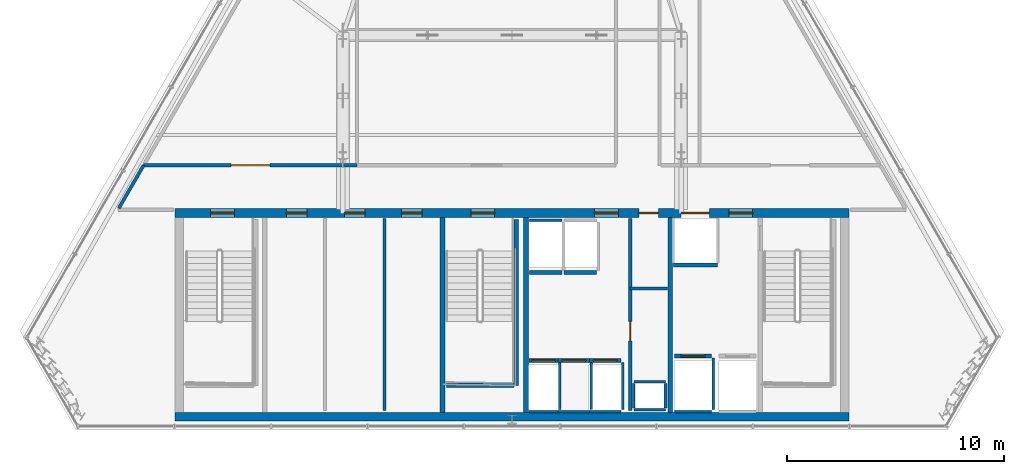
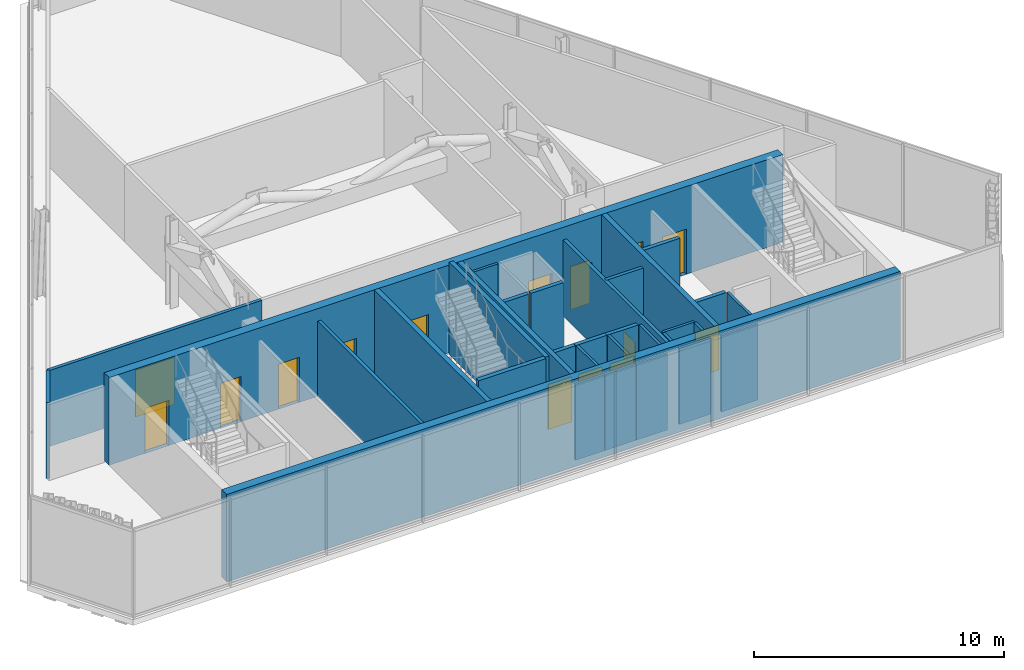
# One storey, part 28 of 32: 32 walls, 15 doors, 15 openings.
"""IFC4 building model written with IfcOpenShell, lengths in metres."""

from ifc_helpers import new_model, si_unit, direction, frame, frame_2d, origin, place, context, subcontext, project, spatial, rectangle, extrude, material, layer, layer_set, type_object, element, fill, save


model = new_model("IFC4")

# Units and contexts
model_context = context("Model", 3, precision=1e-05, world=origin(), true_north=direction((0.0, 1.0)))
body_context = subcontext(model_context, "Body", "Model", "MODEL_VIEW")
ifc_project = project(units=[si_unit("LENGTHUNIT", "METRE"), si_unit("AREAUNIT", "SQUARE_METRE"), si_unit("VOLUMEUNIT", "CUBIC_METRE"), si_unit("PLANEANGLEUNIT", "RADIAN"), si_unit("MASSUNIT", "GRAM", prefix="KILO")], contexts=[model_context])

# Site, building, storey
site_placement = place(None, origin())
site = spatial("IfcSite", under=ifc_project, at=site_placement, CompositionType="ELEMENT")
building_placement = place(site_placement, origin())
building = spatial("IfcBuilding", under=site, at=building_placement, Name="Ndaravel Arena Tower", CompositionType="ELEMENT")
storey_placement = place(building_placement, frame((0.0, 0.0, 278.800048828125)))
storey = spatial("IfcBuildingStorey", under=building, at=storey_placement, Name="L68", CompositionType="ELEMENT", Elevation=278.800048828125)

# Wall, opening, door
ifc_material_1 = material(Name="Gypsum", Category="gypsum")
ifc_layer_1 = layer(ifc_material_1, 0.14990234375)
ifc_layer_set_1 = layer_set([ifc_layer_1], Name="Gypsum")
wall_type_1 = type_object("IfcWallType", Name="WALL-COMP-150", PredefinedType="PARTITIONING", material=ifc_layer_set_1)
wall_1_placement = place(storey_placement, frame((47.449951171875, 5.89990234375, 0.0), z_axis=(0.0, 0.0, 1.0), x_axis=(0.0, 1.0, 0.0)))
wall_1 = element("IfcWall", 1, at=wall_1_placement, inside=storey, type_object=wall_type_1, Name="L68 Core Riser Bay Partition", PredefinedType="PARTITIONING", context=body_context, shape_type="SweptSolid", body=[
    extrude(rectangle(XDim=8.85009765625, YDim=0.14990234375, at=frame_2d((4.425048828125, 0.0))), origin(), (0.0, 0.0, 1.0), 3.71044921875),
])
opening_1_placement = place(wall_1_placement, frame((3.199951171875, 0.0, 0.0)))
opening_1 = element("IfcOpeningElement", 2, at=opening_1_placement, cuts=wall_1, Name="Opening RD-01", PredefinedType="OPENING", context=body_context, shape_type="SweptSolid", body=[
    extrude(rectangle(XDim=0.89990234375, YDim=2.10009765625, at=frame_2d((0.449951171875, 1.050048828125))), frame((0.0, 0.074951171875, 0.0), z_axis=(0.0, -1.0, 0.0), x_axis=(1.0, 0.0, 0.0)), (0.0, 0.0, 1.0), 0.14990234375),
])
ifc_material_2 = material(Name="Steel S355", Category="steel")
door_type_1 = type_object("IfcDoorType", Name="DT-08-RISER-900", OperationType="SINGLE_SWING_LEFT", PredefinedType="DOOR", material=ifc_material_2)
door_1_placement = place(opening_1_placement, origin())
door_1 = element("IfcDoor", 3, at=door_1_placement, inside=storey, type_object=door_type_1, Name="L68 Sub-Metering Closet Door", OperationType="SINGLE_SWING_LEFT", OverallHeight=2.10009765625, OverallWidth=0.89990234375, PredefinedType="DOOR", context=body_context, shape_type="SweptSolid", body=[
    extrude(rectangle(XDim=0.89990234375, YDim=2.10009765625, at=frame_2d((0.449951171875, 1.050048828125))), frame((0.0, 0.02490234375, 0.0), z_axis=(0.0, -1.0, 0.0), x_axis=(1.0, 0.0, 0.0)), (0.0, 0.0, 1.0), 0.050048828125),
])
fill(opening_1, door_1)

# Walls
wall_2_placement = place(storey_placement, frame((47.449951171875, 11.52001953125, 0.0), z_axis=(0.0, 0.0, 1.0), x_axis=(1.0, 0.0, 0.0)))
element("IfcWall", 4, at=wall_2_placement, inside=storey, type_object=wall_type_1, Name="L68 Core Riser Divider 1", PredefinedType="PARTITIONING", context=body_context, shape_type="SweptSolid", body=[
    extrude(rectangle(XDim=1.72998046875, YDim=0.14990234375, at=frame_2d((0.864990234375, 0.0))), origin(), (0.0, 0.0, 1.0), 3.71044921875),
])
wall_3_placement = place(storey_placement, frame((36.1201171875, 5.89990234375, 0.0), z_axis=(0.0, 0.0, 1.0), x_axis=(0.0, 1.0, 0.0)))
element("IfcWall", 5, at=wall_3_placement, inside=storey, type_object=wall_type_1, Name="L68 High-Zone Core Divider 2", PredefinedType="PARTITIONING", context=body_context, shape_type="SweptSolid", body=[
    extrude(rectangle(XDim=8.85009765625, YDim=0.14990234375, at=frame_2d((4.425048828125, 0.0))), origin(), (0.0, 0.0, 1.0), 3.71044921875),
])
wall_4_placement = place(storey_placement, frame((23.86572265625, 15.215087890625, 0.0), z_axis=(0.0, 0.0, 1.0), x_axis=(0.500091252813, 0.865972712538, 0.0)))
element("IfcWall", 6, at=wall_4_placement, inside=storey, type_object=wall_type_1, Name="L68 Interior Partition 003", PredefinedType="PARTITIONING", context=body_context, shape_type="SweptSolid", body=[
    extrude(rectangle(XDim=2.2919921875, YDim=0.14990234375, at=frame_2d((1.14599609375, 0.0))), origin(), (0.0, 0.0, 1.0), 3.71044921875),
])

# Wall, opening, door
wall_5_placement = place(storey_placement, frame((25.011962890625, 17.199951171875, 0.0), z_axis=(0.0, 0.0, 1.0), x_axis=(1.0, 0.0, 0.0)))
wall_5 = element("IfcWall", 7, at=wall_5_placement, inside=storey, type_object=wall_type_1, Name="L68 Interior Partition 004", PredefinedType="PARTITIONING", context=body_context, shape_type="SweptSolid", body=[
    extrude(rectangle(XDim=9.838134765625, YDim=0.14990234375, at=frame_2d((4.9189453125, 0.0))), origin(), (0.0, 0.0, 1.0), 3.71044921875),
])
opening_2_placement = place(wall_5_placement, frame((4.01904296875, 0.0, 0.0)))
opening_2 = element("IfcOpeningElement", 8, at=opening_2_placement, cuts=wall_5, Name="Opening PD-01", PredefinedType="OPENING", context=body_context, shape_type="SweptSolid", body=[
    extrude(rectangle(XDim=1.800048828125, YDim=2.300048828125, at=frame_2d((0.89990234375, 1.14990234375))), frame((0.0, 0.074951171875, 0.0), z_axis=(0.0, -1.0, 0.0), x_axis=(1.0, 0.0, 0.0)), (0.0, 0.0, 1.0), 0.14990234375),
])
ifc_material_3 = material(Name="Steel S355", Category="steel")
door_type_2 = type_object("IfcDoorType", Name="DT-09-PLANT-1800", OperationType="DOUBLE_DOOR_SINGLE_SWING", PredefinedType="DOOR", material=ifc_material_3)
door_2_placement = place(opening_2_placement, origin())
door_2 = element("IfcDoor", 9, at=door_2_placement, inside=storey, type_object=door_type_2, Name="L68 Crown Zone AHU Plant Room Door", OperationType="SINGLE_SWING_RIGHT", OverallHeight=2.300048828125, OverallWidth=1.800048828125, PredefinedType="DOOR", context=body_context, shape_type="SweptSolid", body=[
    extrude(rectangle(XDim=1.800048828125, YDim=2.300048828125, at=frame_2d((0.89990234375, 1.14990234375))), frame((0.0, 0.02490234375, 0.0), z_axis=(0.0, -1.0, 0.0), x_axis=(1.0, 0.0, 0.0)), (0.0, 0.0, 1.0), 0.050048828125),
])
fill(opening_2, door_2)

# Walls
ifc_material_4 = material(Name="Concrete C50/60", Category="concrete")
ifc_layer_2 = layer(ifc_material_4, 0.219970703125)
ifc_layer_set_2 = layer_set([ifc_layer_2], Name="Concrete C50/60")
wall_type_2 = type_object("IfcWallType", Name="WALL-CORE-220", PredefinedType="SOLIDWALL", material=ifc_layer_set_2)
for number, where, z_axis, x_axis, name in (
    (10, (38.800048828125, 5.800048828125, 0.0), (0.0, 0.0, 1.0), (0.0, 1.0, 0.0), "L68 Core Web Shear Wall 2"),
    (11, (42.64990234375, 5.800048828125, 0.0), (0.0, 0.0, 1.0), (0.0, 1.0, 0.0), "L68 Core Web Shear Wall 3"),
    (12, (49.300048828125, 5.800048828125, 0.0), (0.0, 0.0, 1.0), (0.0, 1.0, 0.0), "L68 Core Web Shear Wall 4"),
):
    element("IfcWall", number, at=place(storey_placement, frame(where, z_axis=z_axis, x_axis=x_axis)), inside=storey, type_object=wall_type_2, Name=name, PredefinedType="SOLIDWALL", context=body_context, shape_type="SweptSolid", body=[
        extrude(rectangle(XDim=9.0, YDim=0.219970703125, at=frame_2d((4.5, 0.0))), origin(), (0.0, 0.0, 1.0), 4.280029296875),
    ])

# Wall, openings, doors
ifc_material_5 = material(Name="Concrete C50/60", Category="concrete")
ifc_layer_3 = layer(ifc_material_5, 0.39990234375)
ifc_layer_set_3 = layer_set([ifc_layer_3], Name="Concrete C50/60")
wall_type_3 = type_object("IfcWallType", Name="WALL-CORE-400", PredefinedType="SOLIDWALL", material=ifc_layer_set_3)
wall_6_placement = place(storey_placement, frame((26.449951171875, 15.0, 0.0), z_axis=(0.0, 0.0, 1.0), x_axis=(1.0, 0.0, 0.0)))
wall_6 = element("IfcWall", 13, at=wall_6_placement, inside=storey, type_object=wall_type_3, Name="L68 Core North Shear Wall", PredefinedType="SOLIDWALL", context=body_context, shape_type="SweptSolid", body=[
    extrude(rectangle(XDim=31.10009765625, YDim=0.39990234375, at=frame_2d((15.550048828125, 0.0))), origin(), (0.0, 0.0, 1.0), 4.280029296875),
])
opening_3_placement = place(wall_6_placement, frame((1.64990234375, 0.0, 0.0)))
opening_3 = element("IfcOpeningElement", 14, at=opening_3_placement, cuts=wall_6, Name="Opening FD-01", PredefinedType="OPENING", context=body_context, shape_type="SweptSolid", body=[
    extrude(rectangle(XDim=1.10009765625, YDim=2.199951171875, at=frame_2d((0.550048828125, 1.10009765625))), frame((0.0, 0.199951171875, 0.0), z_axis=(0.0, -1.0, 0.0), x_axis=(1.0, 0.0, 0.0)), (0.0, 0.0, 1.0), 0.39990234375),
])
opening_4_placement = place(wall_6_placement, frame((13.64990234375, 0.0, 0.0)))
opening_4 = element("IfcOpeningElement", 15, at=opening_4_placement, cuts=wall_6, Name="Opening FD-01", PredefinedType="OPENING", context=body_context, shape_type="SweptSolid", body=[
    extrude(rectangle(XDim=1.10009765625, YDim=2.199951171875, at=frame_2d((0.550048828125, 1.10009765625))), frame((0.0, 0.199951171875, 0.0), z_axis=(0.0, -1.0, 0.0), x_axis=(1.0, 0.0, 0.0)), (0.0, 0.0, 1.0), 0.39990234375),
])
opening_5_placement = place(wall_6_placement, frame((25.550048828125, 0.0, 0.0)))
opening_5 = element("IfcOpeningElement", 16, at=opening_5_placement, cuts=wall_6, Name="Opening FD-01", PredefinedType="OPENING", context=body_context, shape_type="SweptSolid", body=[
    extrude(rectangle(XDim=1.10009765625, YDim=2.199951171875, at=frame_2d((0.550048828125, 1.10009765625))), frame((0.0, 0.199951171875, 0.0), z_axis=(0.0, -1.0, 0.0), x_axis=(1.0, 0.0, 0.0)), (0.0, 0.0, 1.0), 0.39990234375),
])
opening_6_placement = place(wall_6_placement, frame((19.35009765625, 0.0, 0.0)))
opening_6 = element("IfcOpeningElement", 17, at=opening_6_placement, cuts=wall_6, Name="Opening FD-01", PredefinedType="OPENING", context=body_context, shape_type="SweptSolid", body=[
    extrude(rectangle(XDim=1.10009765625, YDim=2.199951171875, at=frame_2d((0.550048828125, 1.10009765625))), frame((0.0, 0.199951171875, 0.0), z_axis=(0.0, -1.0, 0.0), x_axis=(1.0, 0.0, 0.0)), (0.0, 0.0, 1.0), 0.39990234375),
])
opening_7_placement = place(wall_6_placement, frame((21.39990234375, 0.0, 0.0)))
opening_7 = element("IfcOpeningElement", 18, at=opening_7_placement, cuts=wall_6, Name="Opening RD-01", PredefinedType="OPENING", context=body_context, shape_type="SweptSolid", body=[
    extrude(rectangle(XDim=0.89990234375, YDim=2.10009765625, at=frame_2d((0.449951171875, 1.050048828125))), frame((0.0, 0.199951171875, 0.0), z_axis=(0.0, -1.0, 0.0), x_axis=(1.0, 0.0, 0.0)), (0.0, 0.0, 1.0), 0.39990234375),
])
opening_8_placement = place(wall_6_placement, frame((5.139892578125, 0.0, 0.0)))
opening_8 = element("IfcOpeningElement", 19, at=opening_8_placement, cuts=wall_6, Name="Opening FD-03", PredefinedType="OPENING", context=body_context, shape_type="SweptSolid", body=[
    extrude(rectangle(XDim=0.949951171875, YDim=2.199951171875, at=frame_2d((0.47509765625, 1.10009765625))), frame((0.0, 0.199951171875, 0.0), z_axis=(0.0, -1.0, 0.0), x_axis=(1.0, 0.0, 0.0)), (0.0, 0.0, 1.0), 0.39990234375),
])
opening_9_placement = place(wall_6_placement, frame((7.824951171875, 0.0, 0.0)))
opening_9 = element("IfcOpeningElement", 20, at=opening_9_placement, cuts=wall_6, Name="Opening FD-03", PredefinedType="OPENING", context=body_context, shape_type="SweptSolid", body=[
    extrude(rectangle(XDim=0.949951171875, YDim=2.199951171875, at=frame_2d((0.47509765625, 1.10009765625))), frame((0.0, 0.199951171875, 0.0), z_axis=(0.0, -1.0, 0.0), x_axis=(1.0, 0.0, 0.0)), (0.0, 0.0, 1.0), 0.39990234375),
])
opening_10_placement = place(wall_6_placement, frame((10.4599609375, 0.0, 0.0)))
opening_10 = element("IfcOpeningElement", 21, at=opening_10_placement, cuts=wall_6, Name="Opening FD-03", PredefinedType="OPENING", context=body_context, shape_type="SweptSolid", body=[
    extrude(rectangle(XDim=0.949951171875, YDim=2.199951171875, at=frame_2d((0.47509765625, 1.10009765625))), frame((0.0, 0.199951171875, 0.0), z_axis=(0.0, -1.0, 0.0), x_axis=(1.0, 0.0, 0.0)), (0.0, 0.0, 1.0), 0.39990234375),
])
opening_11_placement = place(wall_6_placement, frame((23.35009765625, 0.0, 0.0)))
opening_11 = element("IfcOpeningElement", 22, at=opening_11_placement, cuts=wall_6, Name="Opening LD-02", PredefinedType="OPENING", context=body_context, shape_type="SweptSolid", body=[
    extrude(rectangle(XDim=1.300048828125, YDim=2.300048828125, at=frame_2d((0.64990234375, 1.14990234375))), frame((0.0, 0.199951171875, 0.0), z_axis=(0.0, -1.0, 0.0), x_axis=(1.0, 0.0, 0.0)), (0.0, 0.0, 1.0), 0.39990234375),
])
ifc_material_6 = material(Name="Steel S355", Category="steel")
door_type_3 = type_object("IfcDoorType", Name="DT-01-STAIR-1100", OperationType="SINGLE_SWING_LEFT", PredefinedType="DOOR", material=ifc_material_6)
door_3_placement = place(opening_3_placement, origin())
door_3 = element("IfcDoor", 23, at=door_3_placement, inside=storey, type_object=door_type_3, Name="L68 Exit Stair ST-1 Door", OperationType="SINGLE_SWING_LEFT", OverallHeight=2.199951171875, OverallWidth=1.10009765625, PredefinedType="DOOR", context=body_context, shape_type="SweptSolid", body=[
    extrude(rectangle(XDim=1.10009765625, YDim=2.199951171875, at=frame_2d((0.550048828125, 1.10009765625))), frame((0.0, 0.02490234375, 0.0), z_axis=(0.0, -1.0, 0.0), x_axis=(1.0, 0.0, 0.0)), (0.0, 0.0, 1.0), 0.050048828125),
])
fill(opening_3, door_3)
door_4_placement = place(opening_4_placement, origin())
door_4 = element("IfcDoor", 24, at=door_4_placement, inside=storey, type_object=door_type_3, Name="L68 Exit Stair ST-2 Door", OperationType="SINGLE_SWING_RIGHT", OverallHeight=2.199951171875, OverallWidth=1.10009765625, PredefinedType="DOOR", context=body_context, shape_type="SweptSolid", body=[
    extrude(rectangle(XDim=1.10009765625, YDim=2.199951171875, at=frame_2d((0.550048828125, 1.10009765625))), frame((0.0, 0.02490234375, 0.0), z_axis=(0.0, -1.0, 0.0), x_axis=(1.0, 0.0, 0.0)), (0.0, 0.0, 1.0), 0.050048828125),
])
fill(opening_4, door_4)
door_5_placement = place(opening_5_placement, origin())
door_5 = element("IfcDoor", 25, at=door_5_placement, inside=storey, type_object=door_type_3, Name="L68 Firefighting Lift Lobby Door", OperationType="SINGLE_SWING_RIGHT", OverallHeight=2.199951171875, OverallWidth=1.10009765625, PredefinedType="DOOR", context=body_context, shape_type="SweptSolid", body=[
    extrude(rectangle(XDim=1.10009765625, YDim=2.199951171875, at=frame_2d((0.550048828125, 1.10009765625))), frame((0.0, 0.02490234375, 0.0), z_axis=(0.0, -1.0, 0.0), x_axis=(1.0, 0.0, 0.0)), (0.0, 0.0, 1.0), 0.050048828125),
])
fill(opening_5, door_5)
door_6_placement = place(opening_6_placement, origin())
door_6 = element("IfcDoor", 26, at=door_6_placement, inside=storey, type_object=door_type_3, Name="L68 Express Lift Lobby Entry Door", OperationType="SINGLE_SWING_LEFT", OverallHeight=2.199951171875, OverallWidth=1.10009765625, PredefinedType="DOOR", context=body_context, shape_type="SweptSolid", body=[
    extrude(rectangle(XDim=1.10009765625, YDim=2.199951171875, at=frame_2d((0.550048828125, 1.10009765625))), frame((0.0, 0.02490234375, 0.0), z_axis=(0.0, -1.0, 0.0), x_axis=(1.0, 0.0, 0.0)), (0.0, 0.0, 1.0), 0.050048828125),
])
fill(opening_6, door_6)
ifc_material_7 = material(Name="Steel S355", Category="steel")
door_type_4 = type_object("IfcDoorType", Name="DT-07-SVLIFT-1300", OperationType="DOUBLE_DOOR_SLIDING", PredefinedType="DOOR", material=ifc_material_7)
door_7_placement = place(opening_11_placement, origin())
door_7 = element("IfcDoor", 27, at=door_7_placement, inside=storey, type_object=door_type_4, Name="L68 Lift SVL-1 Sliding Landing Door", OperationType="DOUBLE_DOOR_SLIDING", OverallHeight=2.300048828125, OverallWidth=1.300048828125, PredefinedType="DOOR", context=body_context, shape_type="SweptSolid", body=[
    extrude(rectangle(XDim=1.300048828125, YDim=2.300048828125, at=frame_2d((0.64990234375, 1.14990234375))), frame((0.0, 0.02490234375, 0.0), z_axis=(0.0, -1.0, 0.0), x_axis=(1.0, 0.0, 0.0)), (0.0, 0.0, 1.0), 0.050048828125),
])
fill(opening_11, door_7)
door_8_placement = place(opening_7_placement, origin())
door_8 = element("IfcDoor", 28, at=door_8_placement, inside=storey, type_object=door_type_1, Name="L68 Core Service Riser North Door", OperationType="SINGLE_SWING_LEFT", OverallHeight=2.10009765625, OverallWidth=0.89990234375, PredefinedType="DOOR", context=body_context, shape_type="SweptSolid", body=[
    extrude(rectangle(XDim=0.89990234375, YDim=2.10009765625, at=frame_2d((0.449951171875, 1.050048828125))), frame((0.0, 0.02490234375, 0.0), z_axis=(0.0, -1.0, 0.0), x_axis=(1.0, 0.0, 0.0)), (0.0, 0.0, 1.0), 0.050048828125),
])
fill(opening_7, door_8)
ifc_material_8 = material(Name="Steel S355", Category="steel")
door_type_5 = type_object("IfcDoorType", Name="DT-11-CORE-950", OperationType="SINGLE_SWING_LEFT", PredefinedType="DOOR", material=ifc_material_8)
door_9_placement = place(opening_8_placement, origin())
door_9 = element("IfcDoor", 29, at=door_9_placement, inside=storey, type_object=door_type_5, Name="L68 High-Zone Reclaimed Core Room 1 Door", OperationType="SINGLE_SWING_LEFT", OverallHeight=2.199951171875, OverallWidth=0.949951171875, PredefinedType="DOOR", context=body_context, shape_type="SweptSolid", body=[
    extrude(rectangle(XDim=0.949951171875, YDim=2.199951171875, at=frame_2d((0.47509765625, 1.10009765625))), frame((0.0, 0.02490234375, 0.0), z_axis=(0.0, -1.0, 0.0), x_axis=(1.0, 0.0, 0.0)), (0.0, 0.0, 1.0), 0.050048828125),
])
fill(opening_8, door_9)
door_10_placement = place(opening_9_placement, origin())
door_10 = element("IfcDoor", 30, at=door_10_placement, inside=storey, type_object=door_type_5, Name="L68 High-Zone Reclaimed Core Room 2 Door", OperationType="SINGLE_SWING_RIGHT", OverallHeight=2.199951171875, OverallWidth=0.949951171875, PredefinedType="DOOR", context=body_context, shape_type="SweptSolid", body=[
    extrude(rectangle(XDim=0.949951171875, YDim=2.199951171875, at=frame_2d((0.47509765625, 1.10009765625))), frame((0.0, 0.02490234375, 0.0), z_axis=(0.0, -1.0, 0.0), x_axis=(1.0, 0.0, 0.0)), (0.0, 0.0, 1.0), 0.050048828125),
])
fill(opening_9, door_10)
door_11_placement = place(opening_10_placement, origin())
door_11 = element("IfcDoor", 31, at=door_11_placement, inside=storey, type_object=door_type_5, Name="L68 High-Zone Reclaimed Core Room 3 Door", OperationType="SINGLE_SWING_LEFT", OverallHeight=2.199951171875, OverallWidth=0.949951171875, PredefinedType="DOOR", context=body_context, shape_type="SweptSolid", body=[
    extrude(rectangle(XDim=0.949951171875, YDim=2.199951171875, at=frame_2d((0.47509765625, 1.10009765625))), frame((0.0, 0.02490234375, 0.0), z_axis=(0.0, -1.0, 0.0), x_axis=(1.0, 0.0, 0.0)), (0.0, 0.0, 1.0), 0.050048828125),
])
fill(opening_10, door_11)

# Walls
wall_7_placement = place(storey_placement, frame((26.449951171875, 5.60009765625, 0.0), z_axis=(0.0, 0.0, 1.0), x_axis=(1.0, 0.0, 0.0)))
element("IfcWall", 32, at=wall_7_placement, inside=storey, type_object=wall_type_3, Name="L68 Core South Shear Wall", PredefinedType="SOLIDWALL", context=body_context, shape_type="SweptSolid", body=[
    extrude(rectangle(XDim=31.10009765625, YDim=0.39990234375, at=frame_2d((15.550048828125, 0.0))), origin(), (0.0, 0.0, 1.0), 4.280029296875),
])
ifc_material_9 = material(Name="Concrete C40/50", Category="concrete")
ifc_layer_4 = layer(ifc_material_9, 0.1201171875)
ifc_layer_set_4 = layer_set([ifc_layer_4], Name="Concrete C40/50")
wall_type_4 = type_object("IfcWallType", Name="WALL-SHAFT-120", PredefinedType="SOLIDWALL", material=ifc_layer_set_4)
for number, where, z_axis, x_axis, name in (
    (33, (47.6201171875, 5.919921875, 0.0), (0.0, 0.0, 1.0), (1.0, 0.0, 0.0), "L68 MEP Riser Shaft S Wall"),
    (34, (47.6201171875, 7.219970703125, 0.0), (0.0, 0.0, 1.0), (1.0, 0.0, 0.0), "L68 MEP Riser Shaft N Wall"),
):
    element("IfcWall", number, at=place(storey_placement, frame(where, z_axis=z_axis, x_axis=x_axis)), inside=storey, type_object=wall_type_4, Name=name, PredefinedType="SOLIDWALL", context=body_context, shape_type="SweptSolid", body=[
        extrude(rectangle(XDim=1.4599609375, YDim=0.1201171875, at=frame_2d((0.72998046875, 0.0))), origin(), (0.0, 0.0, 1.0), 3.71044921875),
    ])
for number, where, z_axis, x_axis, name in (
    (35, (47.6201171875, 6.0, 0.0), (0.0, 0.0, 1.0), (0.0, 1.0, 0.0), "L68 MEP Riser Shaft W Wall"),
    (36, (49.080078125, 6.0, 0.0), (0.0, 0.0, 1.0), (0.0, 1.0, 0.0), "L68 MEP Riser Shaft E Wall"),
):
    element("IfcWall", number, at=place(storey_placement, frame(where, z_axis=z_axis, x_axis=x_axis)), inside=storey, type_object=wall_type_4, Name=name, PredefinedType="SOLIDWALL", context=body_context, shape_type="SweptSolid", body=[
        extrude(rectangle(XDim=1.139892578125, YDim=0.1201171875, at=frame_2d((0.56982421875, 0.0))), origin(), (0.0, 0.0, 1.0), 3.71044921875),
    ])
wall_8_placement = place(storey_placement, frame((42.780029296875, 5.840087890625, 0.0), z_axis=(0.0, 0.0, 1.0), x_axis=(1.0, 0.0, 0.0)))
element("IfcWall", 37, at=wall_8_placement, inside=storey, type_object=wall_type_4, Name="L68 PL-H1 Shaft Rear Wall", PredefinedType="SOLIDWALL", context=body_context, shape_type="SweptSolid", body=[
    extrude(rectangle(XDim=1.340087890625, YDim=0.1201171875, at=frame_2d((0.669921875, 0.0))), origin(), (0.0, 0.0, 1.0), 3.71044921875),
])
wall_9_placement = place(storey_placement, frame((44.199951171875, 5.929931640625, 0.0), z_axis=(0.0, 0.0, 1.0), x_axis=(0.0, 1.0, 0.0)))
element("IfcWall", 38, at=wall_9_placement, inside=storey, type_object=wall_type_4, Name="L68 PL-H1 Shaft Side R Wall", PredefinedType="SOLIDWALL", context=body_context, shape_type="SweptSolid", body=[
    extrude(rectangle(XDim=2.18017578125, YDim=0.1201171875, at=frame_2d((1.090087890625, 0.0))), origin(), (0.0, 0.0, 1.0), 3.71044921875),
])
wall_10_placement = place(storey_placement, frame((44.1298828125, 5.840087890625, 0.0), z_axis=(0.0, 0.0, 1.0), x_axis=(1.0, 0.0, 0.0)))
element("IfcWall", 39, at=wall_10_placement, inside=storey, type_object=wall_type_4, Name="L68 PL-H2 Shaft Rear Wall", PredefinedType="SOLIDWALL", context=body_context, shape_type="SweptSolid", body=[
    extrude(rectangle(XDim=1.440185546875, YDim=0.1201171875, at=frame_2d((0.72021484375, 0.0))), origin(), (0.0, 0.0, 1.0), 3.71044921875),
])
wall_11_placement = place(storey_placement, frame((45.64990234375, 5.929931640625, 0.0), z_axis=(0.0, 0.0, 1.0), x_axis=(0.0, 1.0, 0.0)))
element("IfcWall", 40, at=wall_11_placement, inside=storey, type_object=wall_type_4, Name="L68 PL-H2 Shaft Side R Wall", PredefinedType="SOLIDWALL", context=body_context, shape_type="SweptSolid", body=[
    extrude(rectangle(XDim=2.18017578125, YDim=0.1201171875, at=frame_2d((1.090087890625, 0.0))), origin(), (0.0, 0.0, 1.0), 3.71044921875),
])
wall_12_placement = place(storey_placement, frame((45.580078125, 5.840087890625, 0.0), z_axis=(0.0, 0.0, 1.0), x_axis=(1.0, 0.0, 0.0)))
element("IfcWall", 41, at=wall_12_placement, inside=storey, type_object=wall_type_4, Name="L68 PL-H3 Shaft Rear Wall", PredefinedType="SOLIDWALL", context=body_context, shape_type="SweptSolid", body=[
    extrude(rectangle(XDim=1.43994140625, YDim=0.1201171875, at=frame_2d((0.719970703125, 0.0))), origin(), (0.0, 0.0, 1.0), 3.71044921875),
])
wall_13_placement = place(storey_placement, frame((47.10009765625, 5.929931640625, 0.0), z_axis=(0.0, 0.0, 1.0), x_axis=(0.0, 1.0, 0.0)))
element("IfcWall", 42, at=wall_13_placement, inside=storey, type_object=wall_type_4, Name="L68 PL-H3 Shaft Side R Wall", PredefinedType="SOLIDWALL", context=body_context, shape_type="SweptSolid", body=[
    extrude(rectangle(XDim=2.18017578125, YDim=0.1201171875, at=frame_2d((1.090087890625, 0.0))), origin(), (0.0, 0.0, 1.0), 3.71044921875),
])
wall_14_placement = place(storey_placement, frame((42.804931640625, 14.659912109375, 0.0), z_axis=(0.0, 0.0, 1.0), x_axis=(1.0, 0.0, 0.0)))
element("IfcWall", 43, at=wall_14_placement, inside=storey, type_object=wall_type_4, Name="L68 PL-OBS1 Shaft Rear Wall", PredefinedType="SOLIDWALL", context=body_context, shape_type="SweptSolid", body=[
    extrude(rectangle(XDim=1.489990234375, YDim=0.1201171875, at=frame_2d((0.7451171875, 0.0))), origin(), (0.0, 0.0, 1.0), 3.71044921875),
])
wall_15_placement = place(storey_placement, frame((49.5048828125, 5.840087890625, 0.0), z_axis=(0.0, 0.0, 1.0), x_axis=(1.0, 0.0, 0.0)))
element("IfcWall", 44, at=wall_15_placement, inside=storey, type_object=wall_type_4, Name="L68 FFL-1 Shaft Rear Wall", PredefinedType="SOLIDWALL", context=body_context, shape_type="SweptSolid", body=[
    extrude(rectangle(XDim=1.690185546875, YDim=0.1201171875, at=frame_2d((0.84521484375, 0.0))), origin(), (0.0, 0.0, 1.0), 3.71044921875),
])
wall_16_placement = place(storey_placement, frame((51.27490234375, 5.929931640625, 0.0), z_axis=(0.0, 0.0, 1.0), x_axis=(0.0, 1.0, 0.0)))
element("IfcWall", 45, at=wall_16_placement, inside=storey, type_object=wall_type_4, Name="L68 FFL-1 Shaft Side R Wall", PredefinedType="SOLIDWALL", context=body_context, shape_type="SweptSolid", body=[
    extrude(rectangle(XDim=2.380126953125, YDim=0.1201171875, at=frame_2d((1.18994140625, 0.0))), origin(), (0.0, 0.0, 1.0), 3.71044921875),
])
ifc_material_10 = material(Name="Concrete C40/50", Category="concrete")
ifc_layer_5 = layer(ifc_material_10, 0.199951171875)
ifc_layer_set_5 = layer_set([ifc_layer_5], Name="Concrete C40/50")
wall_type_5 = type_object("IfcWallType", Name="WALL-SHAFT-200", PredefinedType="SOLIDWALL", material=ifc_layer_set_5)
wall_17_placement = place(storey_placement, frame((42.18994140625, 14.699951171875, 0.0), z_axis=(0.0, 0.0, 1.0), x_axis=(0.0, -1.0, 0.0)))
element("IfcWall", 46, at=wall_17_placement, inside=storey, type_object=wall_type_5, Name="L68 ST-2 Structural Shaft Wall Right", PredefinedType="SOLIDWALL", context=body_context, shape_type="SweptSolid", body=[
    extrude(rectangle(XDim=7.64990234375, YDim=0.199951171875, at=frame_2d((3.824951171875, 0.0))), origin(), (0.0, 0.0, 1.0), 4.5),
])
wall_18_placement = place(storey_placement, frame((38.969970703125, 7.050048828125, 0.0), z_axis=(0.0, 0.0, 1.0), x_axis=(1.0, 0.0, 0.0)))
element("IfcWall", 47, at=wall_18_placement, inside=storey, type_object=wall_type_5, Name="L68 ST-2 Structural Shaft Wall Far", PredefinedType="SOLIDWALL", context=body_context, shape_type="SweptSolid", body=[
    extrude(rectangle(XDim=3.114990234375, YDim=0.199951171875, at=frame_2d((1.5576171875, 0.0))), origin(), (0.0, 0.0, 1.0), 4.5),
])

# Wall, opening, door
wall_19_placement = place(storey_placement, frame((42.780029296875, 8.199951171875, 0.0), z_axis=(0.0, 0.0, 1.0), x_axis=(1.0, 0.0, 0.0)))
wall_19 = element("IfcWall", 48, at=wall_19_placement, inside=storey, type_object=wall_type_5, Name="L68 PL-H1 Shaft Landing Wall", PredefinedType="SOLIDWALL", context=body_context, shape_type="SweptSolid", body=[
    extrude(rectangle(XDim=1.340087890625, YDim=0.179931640625, at=frame_2d((0.669921875, 0.0))), origin(), (0.0, 0.0, 1.0), 3.71044921875),
])
opening_12_placement = place(wall_19_placement, frame((0.1201171875, 0.0, 0.0)))
opening_12 = element("IfcOpeningElement", 49, at=opening_12_placement, cuts=wall_19, Name="Opening LD-01", PredefinedType="OPENING", context=body_context, shape_type="SweptSolid", body=[
    extrude(rectangle(XDim=1.10009765625, YDim=2.199951171875, at=frame_2d((0.550048828125, 1.10009765625))), frame((0.0, 0.08984375, 0.0), z_axis=(0.0, -1.0, 0.0), x_axis=(1.0, 0.0, 0.0)), (0.0, 0.0, 1.0), 0.179931640625),
])
ifc_material_11 = material(Name="Steel S355", Category="steel")
door_type_6 = type_object("IfcDoorType", Name="DT-06-LIFT-1100", OperationType="SLIDING_TO_LEFT", PredefinedType="DOOR", material=ifc_material_11)
door_12_placement = place(opening_12_placement, origin())
door_12 = element("IfcDoor", 50, at=door_12_placement, inside=storey, type_object=door_type_6, Name="L68 Lift PL-H1 Sliding Landing Door", OperationType="SLIDING_TO_LEFT", OverallHeight=2.199951171875, OverallWidth=1.10009765625, PredefinedType="DOOR", context=body_context, shape_type="SweptSolid", body=[
    extrude(rectangle(XDim=1.10009765625, YDim=2.199951171875, at=frame_2d((0.550048828125, 1.10009765625))), frame((0.0, 0.02490234375, 0.0), z_axis=(0.0, -1.0, 0.0), x_axis=(1.0, 0.0, 0.0)), (0.0, 0.0, 1.0), 0.050048828125),
])
fill(opening_12, door_12)

wall_20_placement = place(storey_placement, frame((44.1298828125, 8.199951171875, 0.0), z_axis=(0.0, 0.0, 1.0), x_axis=(1.0, 0.0, 0.0)))
wall_20 = element("IfcWall", 51, at=wall_20_placement, inside=storey, type_object=wall_type_5, Name="L68 PL-H2 Shaft Landing Wall", PredefinedType="SOLIDWALL", context=body_context, shape_type="SweptSolid", body=[
    extrude(rectangle(XDim=1.440185546875, YDim=0.179931640625, at=frame_2d((0.72021484375, 0.0))), origin(), (0.0, 0.0, 1.0), 3.71044921875),
])
opening_13_placement = place(wall_20_placement, frame((0.169921875, 0.0, 0.0)))
opening_13 = element("IfcOpeningElement", 52, at=opening_13_placement, cuts=wall_20, Name="Opening LD-01", PredefinedType="OPENING", context=body_context, shape_type="SweptSolid", body=[
    extrude(rectangle(XDim=1.10009765625, YDim=2.199951171875, at=frame_2d((0.550048828125, 1.10009765625))), frame((0.0, 0.08984375, 0.0), z_axis=(0.0, -1.0, 0.0), x_axis=(1.0, 0.0, 0.0)), (0.0, 0.0, 1.0), 0.179931640625),
])
door_13_placement = place(opening_13_placement, origin())
door_13 = element("IfcDoor", 53, at=door_13_placement, inside=storey, type_object=door_type_6, Name="L68 Lift PL-H2 Sliding Landing Door", OperationType="SLIDING_TO_LEFT", OverallHeight=2.199951171875, OverallWidth=1.10009765625, PredefinedType="DOOR", context=body_context, shape_type="SweptSolid", body=[
    extrude(rectangle(XDim=1.10009765625, YDim=2.199951171875, at=frame_2d((0.550048828125, 1.10009765625))), frame((0.0, 0.02490234375, 0.0), z_axis=(0.0, -1.0, 0.0), x_axis=(1.0, 0.0, 0.0)), (0.0, 0.0, 1.0), 0.050048828125),
])
fill(opening_13, door_13)

wall_21_placement = place(storey_placement, frame((45.580078125, 8.199951171875, 0.0), z_axis=(0.0, 0.0, 1.0), x_axis=(1.0, 0.0, 0.0)))
wall_21 = element("IfcWall", 54, at=wall_21_placement, inside=storey, type_object=wall_type_5, Name="L68 PL-H3 Shaft Landing Wall", PredefinedType="SOLIDWALL", context=body_context, shape_type="SweptSolid", body=[
    extrude(rectangle(XDim=1.43994140625, YDim=0.179931640625, at=frame_2d((0.719970703125, 0.0))), origin(), (0.0, 0.0, 1.0), 3.71044921875),
])
opening_14_placement = place(wall_21_placement, frame((0.169921875, 0.0, 0.0)))
opening_14 = element("IfcOpeningElement", 55, at=opening_14_placement, cuts=wall_21, Name="Opening LD-01", PredefinedType="OPENING", context=body_context, shape_type="SweptSolid", body=[
    extrude(rectangle(XDim=1.10009765625, YDim=2.199951171875, at=frame_2d((0.550048828125, 1.10009765625))), frame((0.0, 0.08984375, 0.0), z_axis=(0.0, -1.0, 0.0), x_axis=(1.0, 0.0, 0.0)), (0.0, 0.0, 1.0), 0.179931640625),
])
door_14_placement = place(opening_14_placement, origin())
door_14 = element("IfcDoor", 56, at=door_14_placement, inside=storey, type_object=door_type_6, Name="L68 Lift PL-H3 Sliding Landing Door", OperationType="SLIDING_TO_LEFT", OverallHeight=2.199951171875, OverallWidth=1.10009765625, PredefinedType="DOOR", context=body_context, shape_type="SweptSolid", body=[
    extrude(rectangle(XDim=1.10009765625, YDim=2.199951171875, at=frame_2d((0.550048828125, 1.10009765625))), frame((0.0, 0.02490234375, 0.0), z_axis=(0.0, -1.0, 0.0), x_axis=(1.0, 0.0, 0.0)), (0.0, 0.0, 1.0), 0.050048828125),
])
fill(opening_14, door_14)

# Walls
for number, where, z_axis, x_axis, name in (
    (57, (42.804931640625, 12.25, 0.0), (0.0, 0.0, 1.0), (1.0, 0.0, 0.0), "L68 PL-OBS1 Shaft Landing Wall"),
    (58, (44.405029296875, 12.25, 0.0), (0.0, 0.0, 1.0), (1.0, 0.0, 0.0), "L68 PL-OBS2 Shaft Landing Wall"),
):
    element("IfcWall", number, at=place(storey_placement, frame(where, z_axis=z_axis, x_axis=x_axis)), inside=storey, type_object=wall_type_5, Name=name, PredefinedType="SOLIDWALL", context=body_context, shape_type="SweptSolid", body=[
        extrude(rectangle(XDim=1.489990234375, YDim=0.179931640625, at=frame_2d((0.7451171875, 0.0))), origin(), (0.0, 0.0, 1.0), 3.71044921875),
    ])

# Wall, opening, door
wall_22_placement = place(storey_placement, frame((49.5048828125, 8.39990234375, 0.0), z_axis=(0.0, 0.0, 1.0), x_axis=(1.0, 0.0, 0.0)))
wall_22 = element("IfcWall", 59, at=wall_22_placement, inside=storey, type_object=wall_type_5, Name="L68 FFL-1 Shaft Landing Wall", PredefinedType="SOLIDWALL", context=body_context, shape_type="SweptSolid", body=[
    extrude(rectangle(XDim=1.690185546875, YDim=0.179931640625, at=frame_2d((0.84521484375, 0.0))), origin(), (0.0, 0.0, 1.0), 3.71044921875),
])
opening_15_placement = place(wall_22_placement, frame((0.294921875, 0.0, 0.0)))
opening_15 = element("IfcOpeningElement", 60, at=opening_15_placement, cuts=wall_22, Name="Opening LD-01", PredefinedType="OPENING", context=body_context, shape_type="SweptSolid", body=[
    extrude(rectangle(XDim=1.10009765625, YDim=2.199951171875, at=frame_2d((0.550048828125, 1.10009765625))), frame((0.0, 0.08984375, 0.0), z_axis=(0.0, -1.0, 0.0), x_axis=(1.0, 0.0, 0.0)), (0.0, 0.0, 1.0), 0.179931640625),
])
door_15_placement = place(opening_15_placement, origin())
door_15 = element("IfcDoor", 61, at=door_15_placement, inside=storey, type_object=door_type_6, Name="L68 Lift FFL-1 Sliding Landing Door", OperationType="SLIDING_TO_LEFT", OverallHeight=2.199951171875, OverallWidth=1.10009765625, PredefinedType="DOOR", context=body_context, shape_type="SweptSolid", body=[
    extrude(rectangle(XDim=1.10009765625, YDim=2.199951171875, at=frame_2d((0.550048828125, 1.10009765625))), frame((0.0, 0.02490234375, 0.0), z_axis=(0.0, -1.0, 0.0), x_axis=(1.0, 0.0, 0.0)), (0.0, 0.0, 1.0), 0.050048828125),
])
fill(opening_15, door_15)

# Wall
wall_23_placement = place(storey_placement, frame((49.43994140625, 12.594970703125, 0.0), z_axis=(0.0, 0.0, 1.0), x_axis=(1.0, 0.0, 0.0)))
element("IfcWall", 62, at=wall_23_placement, inside=storey, type_object=wall_type_5, Name="L68 SVL-1 Shaft South Wall", PredefinedType="SOLIDWALL", context=body_context, shape_type="SweptSolid", body=[
    extrude(rectangle(XDim=2.0400390625, YDim=0.179931640625, at=frame_2d((1.02001953125, 0.0))), origin(), (0.0, 0.0, 1.0), 3.71044921875),
])

save(model, "model.ifc")
